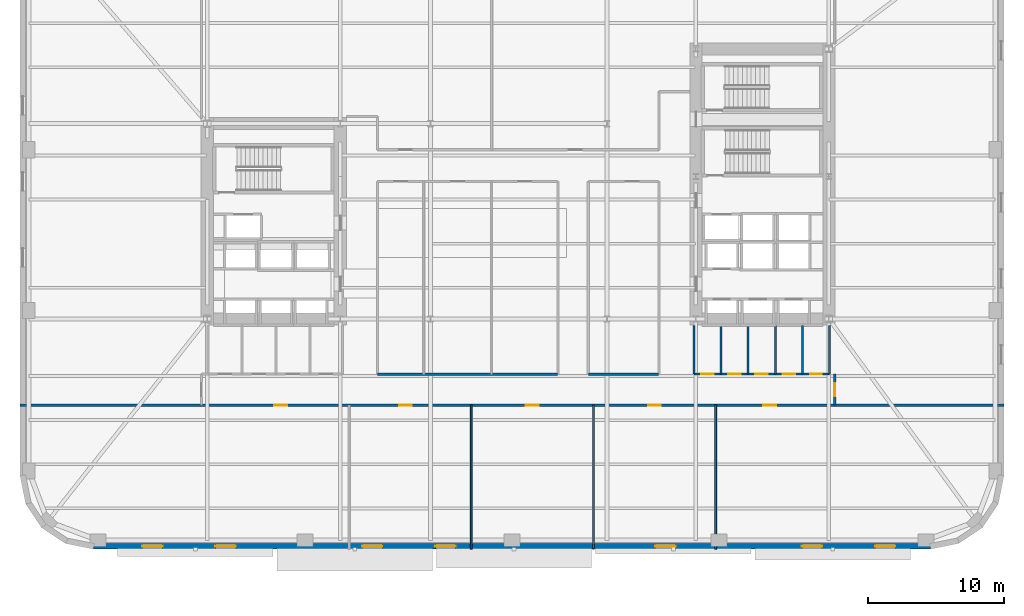
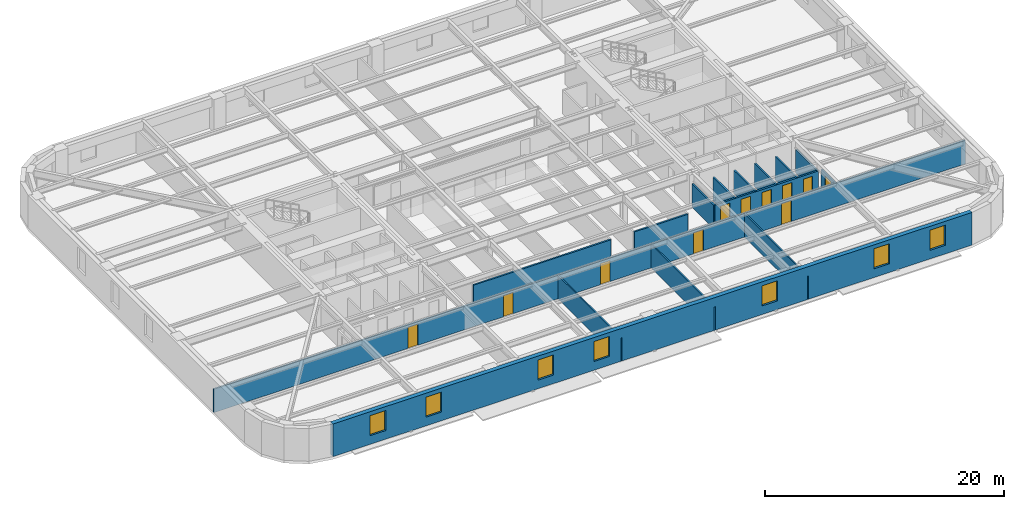
# One storey, part 5 of 14: 15 walls, 11 doors, 7 windows, 18 openings.
"""IFC4 building model written with IfcOpenShell, lengths in metres."""

from ifc_helpers import new_model, si_unit, direction, frame, frame_2d, origin, place, context, subcontext, project, spatial, rectangle, extrude, material, layer, layer_set, type_object, element, fill, save


model = new_model("IFC4")

# Units and contexts
model_context = context("Model", 3, precision=1e-05, world=origin(), true_north=direction((0.0, 1.0)))
body_context = subcontext(model_context, "Body", "Model", "MODEL_VIEW")
ifc_project = project(units=[si_unit("LENGTHUNIT", "METRE"), si_unit("AREAUNIT", "SQUARE_METRE"), si_unit("VOLUMEUNIT", "CUBIC_METRE"), si_unit("PLANEANGLEUNIT", "RADIAN"), si_unit("MASSUNIT", "GRAM", prefix="KILO")], contexts=[model_context])

# Site, building, storey
site_placement = place(None, origin())
site = spatial("IfcSite", under=ifc_project, at=site_placement, CompositionType="ELEMENT")
building_placement = place(site_placement, origin())
building = spatial("IfcBuilding", under=site, at=building_placement, Name="Kolvaren Arena Tower", CompositionType="ELEMENT")
storey_placement = place(building_placement, frame((0.0, 0.0, 90.75)))
storey = spatial("IfcBuildingStorey", under=building, at=storey_placement, Name="L20", CompositionType="ELEMENT", Elevation=90.75)

# Wall, openings, doors
ifc_material_1 = material(Name="Gypsum board acoustic assembly", Category="gypsum")
ifc_layer_1 = layer(ifc_material_1, 0.159912109375)
ifc_layer_set_1 = layer_set([ifc_layer_1], Name="Gypsum board acoustic assembly")
wall_type_1 = type_object("IfcWallType", Name="CORR-160", PredefinedType="PARTITIONING", material=ifc_layer_set_1)
wall_1_placement = place(storey_placement, frame((0.75, 13.10009765625, 0.0), z_axis=(0.0, 0.0, 1.0), x_axis=(1.0, 0.0, 0.0)))
wall_1 = element("IfcWall", 1, at=wall_1_placement, inside=storey, type_object=wall_type_1, Name="Interior Partition Wall (L20)", PredefinedType="PARTITIONING", context=body_context, shape_type="SweptSolid", body=[
    extrude(rectangle(XDim=72.5, YDim=0.159912109375, at=frame_2d((36.25, 0.0))), origin(), (0.0, 0.0, 1.0), 2.389892578125),
])
opening_1_placement = place(wall_1_placement, frame((18.72509765625, 0.0, 0.0)))
opening_1 = element("IfcOpeningElement", 2, at=opening_1_placement, cuts=wall_1, Name="Opening D05", PredefinedType="OPENING", context=body_context, shape_type="SweptSolid", body=[
    extrude(rectangle(XDim=0.949951171875, YDim=2.14990234375, at=frame_2d((0.47509765625, 1.074951171875))), frame((0.0, 0.08984375, 0.0), z_axis=(0.0, -1.0, 0.0), x_axis=(1.0, 0.0, 0.0)), (0.0, 0.0, 1.0), 0.179931640625),
])
opening_2_placement = place(wall_1_placement, frame((27.925048828125, 0.0, 0.0)))
opening_2 = element("IfcOpeningElement", 3, at=opening_2_placement, cuts=wall_1, Name="Opening D05", PredefinedType="OPENING", context=body_context, shape_type="SweptSolid", body=[
    extrude(rectangle(XDim=0.949951171875, YDim=2.14990234375, at=frame_2d((0.47509765625, 1.074951171875))), frame((0.0, 0.08984375, 0.0), z_axis=(0.0, -1.0, 0.0), x_axis=(1.0, 0.0, 0.0)), (0.0, 0.0, 1.0), 0.179931640625),
])
opening_3_placement = place(wall_1_placement, frame((37.27490234375, 0.0, 0.0)))
opening_3 = element("IfcOpeningElement", 4, at=opening_3_placement, cuts=wall_1, Name="Opening D05", PredefinedType="OPENING", context=body_context, shape_type="SweptSolid", body=[
    extrude(rectangle(XDim=0.949951171875, YDim=2.14990234375, at=frame_2d((0.47509765625, 1.074951171875))), frame((0.0, 0.08984375, 0.0), z_axis=(0.0, -1.0, 0.0), x_axis=(1.0, 0.0, 0.0)), (0.0, 0.0, 1.0), 0.179931640625),
])
opening_4_placement = place(wall_1_placement, frame((46.27490234375, 0.0, 0.0)))
opening_4 = element("IfcOpeningElement", 5, at=opening_4_placement, cuts=wall_1, Name="Opening D05", PredefinedType="OPENING", context=body_context, shape_type="SweptSolid", body=[
    extrude(rectangle(XDim=0.949951171875, YDim=2.14990234375, at=frame_2d((0.47509765625, 1.074951171875))), frame((0.0, 0.08984375, 0.0), z_axis=(0.0, -1.0, 0.0), x_axis=(1.0, 0.0, 0.0)), (0.0, 0.0, 1.0), 0.179931640625),
])
opening_5_placement = place(wall_1_placement, frame((54.77490234375, 0.0, 0.0)))
opening_5 = element("IfcOpeningElement", 6, at=opening_5_placement, cuts=wall_1, Name="Opening D05", PredefinedType="OPENING", context=body_context, shape_type="SweptSolid", body=[
    extrude(rectangle(XDim=0.949951171875, YDim=2.14990234375, at=frame_2d((0.47509765625, 1.074951171875))), frame((0.0, 0.08984375, 0.0), z_axis=(0.0, -1.0, 0.0), x_axis=(1.0, 0.0, 0.0)), (0.0, 0.0, 1.0), 0.179931640625),
])
ifc_material_2 = material(Name="Solid-core oak acoustic office door", Category="wood")
door_type_1 = type_object("IfcDoorType", Name="DOOR-OF-095", OperationType="NOTDEFINED", PredefinedType="DOOR", material=ifc_material_2)
door_1_placement = place(opening_1_placement, origin())
door_1 = element("IfcDoor", 7, at=door_1_placement, inside=storey, type_object=door_type_1, Name="Open Plan Office Door (L20)", OperationType="SINGLE_SWING_RIGHT", OverallHeight=2.14990234375, OverallWidth=0.949951171875, PredefinedType="DOOR", context=body_context, shape_type="SweptSolid", body=[
    extrude(rectangle(XDim=0.949951171875, YDim=2.14990234375, at=frame_2d((0.47509765625, 1.074951171875))), frame((0.0, 0.02490234375, 0.0), z_axis=(0.0, -1.0, 0.0), x_axis=(1.0, 0.0, 0.0)), (0.0, 0.0, 1.0), 0.050048828125),
])
fill(opening_1, door_1)
door_2_placement = place(opening_2_placement, origin())
door_2 = element("IfcDoor", 8, at=door_2_placement, inside=storey, type_object=door_type_1, Name="Wellness Room Door (L20)", OperationType="SINGLE_SWING_LEFT", OverallHeight=2.14990234375, OverallWidth=0.949951171875, PredefinedType="DOOR", context=body_context, shape_type="SweptSolid", body=[
    extrude(rectangle(XDim=0.949951171875, YDim=2.14990234375, at=frame_2d((0.47509765625, 1.074951171875))), frame((0.0, 0.02490234375, 0.0), z_axis=(0.0, -1.0, 0.0), x_axis=(1.0, 0.0, 0.0)), (0.0, 0.0, 1.0), 0.050048828125),
])
fill(opening_2, door_2)
door_3_placement = place(opening_3_placement, origin())
door_3 = element("IfcDoor", 9, at=door_3_placement, inside=storey, type_object=door_type_1, Name="Meeting Room Door (L20)", OperationType="SINGLE_SWING_RIGHT", OverallHeight=2.14990234375, OverallWidth=0.949951171875, PredefinedType="DOOR", context=body_context, shape_type="SweptSolid", body=[
    extrude(rectangle(XDim=0.949951171875, YDim=2.14990234375, at=frame_2d((0.47509765625, 1.074951171875))), frame((0.0, 0.02490234375, 0.0), z_axis=(0.0, -1.0, 0.0), x_axis=(1.0, 0.0, 0.0)), (0.0, 0.0, 1.0), 0.050048828125),
])
fill(opening_3, door_3)
door_4_placement = place(opening_4_placement, origin())
door_4 = element("IfcDoor", 10, at=door_4_placement, inside=storey, type_object=door_type_1, Name="Boardroom Door (L20)", OperationType="SINGLE_SWING_LEFT", OverallHeight=2.14990234375, OverallWidth=0.949951171875, PredefinedType="DOOR", context=body_context, shape_type="SweptSolid", body=[
    extrude(rectangle(XDim=0.949951171875, YDim=2.14990234375, at=frame_2d((0.47509765625, 1.074951171875))), frame((0.0, 0.02490234375, 0.0), z_axis=(0.0, -1.0, 0.0), x_axis=(1.0, 0.0, 0.0)), (0.0, 0.0, 1.0), 0.050048828125),
])
fill(opening_4, door_4)
door_5_placement = place(opening_5_placement, origin())
door_5 = element("IfcDoor", 11, at=door_5_placement, inside=storey, type_object=door_type_1, Name="Breakout Pantry and Kitchen Door (L20)", OperationType="SINGLE_SWING_RIGHT", OverallHeight=2.14990234375, OverallWidth=0.949951171875, PredefinedType="DOOR", context=body_context, shape_type="SweptSolid", body=[
    extrude(rectangle(XDim=0.949951171875, YDim=2.14990234375, at=frame_2d((0.47509765625, 1.074951171875))), frame((0.0, 0.02490234375, 0.0), z_axis=(0.0, -1.0, 0.0), x_axis=(1.0, 0.0, 0.0)), (0.0, 0.0, 1.0), 0.050048828125),
])
fill(opening_5, door_5)

# Walls
wall_2_placement = place(storey_placement, frame((27.10009765625, 15.3798828125, 0.0), z_axis=(0.0, 0.0, 1.0), x_axis=(1.0, 0.0, 0.0)))
element("IfcWall", 12, at=wall_2_placement, inside=storey, type_object=wall_type_1, Name="Interior Partition Wall (L20)", PredefinedType="PARTITIONING", context=body_context, shape_type="SweptSolid", body=[
    extrude(rectangle(XDim=13.260009765625, YDim=0.159912109375, at=frame_2d((6.6298828125, 0.0))), origin(), (0.0, 0.0, 1.0), 2.389892578125),
])
wall_3_placement = place(storey_placement, frame((42.639892578125, 15.3798828125, 0.0), z_axis=(0.0, 0.0, 1.0), x_axis=(1.0, 0.0, 0.0)))
element("IfcWall", 13, at=wall_3_placement, inside=storey, type_object=wall_type_1, Name="Interior Partition Wall (L20)", PredefinedType="PARTITIONING", context=body_context, shape_type="SweptSolid", body=[
    extrude(rectangle(XDim=5.16015625, YDim=0.159912109375, at=frame_2d((2.580078125, 0.0))), origin(), (0.0, 0.0, 1.0), 2.389892578125),
])

# Wall, opening, door
wall_4_placement = place(storey_placement, frame((60.780029296875, 13.10009765625, 0.0), z_axis=(0.0, 0.0, 1.0), x_axis=(0.0, 1.0, 0.0)))
wall_4 = element("IfcWall", 14, at=wall_4_placement, inside=storey, type_object=wall_type_1, Name="Interior Partition Wall (L20)", PredefinedType="PARTITIONING", context=body_context, shape_type="SweptSolid", body=[
    extrude(rectangle(XDim=2.2998046875, YDim=0.159912109375, at=frame_2d((1.14990234375, 0.0))), origin(), (0.0, 0.0, 1.0), 2.389892578125),
])
opening_6_placement = place(wall_4_placement, frame((0.64990234375, 0.0, 0.0)))
opening_6 = element("IfcOpeningElement", 15, at=opening_6_placement, cuts=wall_4, Name="Opening D05", PredefinedType="OPENING", context=body_context, shape_type="SweptSolid", body=[
    extrude(rectangle(XDim=0.949951171875, YDim=2.14990234375, at=frame_2d((0.47509765625, 1.074951171875))), frame((0.0, 0.08984375, 0.0), z_axis=(0.0, -1.0, 0.0), x_axis=(1.0, 0.0, 0.0)), (0.0, 0.0, 1.0), 0.179931640625),
])
door_6_placement = place(opening_6_placement, origin())
door_6 = element("IfcDoor", 16, at=door_6_placement, inside=storey, type_object=door_type_1, Name="East Wing Studio Door (L20)", OperationType="SINGLE_SWING_RIGHT", OverallHeight=2.14990234375, OverallWidth=0.949951171875, PredefinedType="DOOR", context=body_context, shape_type="SweptSolid", body=[
    extrude(rectangle(XDim=0.949951171875, YDim=2.14990234375, at=frame_2d((0.47509765625, 1.074951171875))), frame((0.0, 0.02490234375, 0.0), z_axis=(0.0, -1.0, 0.0), x_axis=(1.0, 0.0, 0.0)), (0.0, 0.0, 1.0), 0.050048828125),
])
fill(opening_6, door_6)

# Wall, openings, windows
ifc_material_3 = material(Name="Precast concrete C50/60", Category="concrete")
ifc_layer_2 = layer(ifc_material_3, 0.419921875)
ifc_layer_set_2 = layer_set([ifc_layer_2], Name="Precast concrete C50/60")
wall_type_2 = type_object("IfcWallType", Name="EXT-PIER1", PredefinedType="SOLIDWALL", material=ifc_layer_set_2)
wall_5_placement = place(storey_placement, frame((67.85009765625, 2.7099609375, 0.0), z_axis=(0.0, 0.0, 1.0), x_axis=(-1.0, 0.0, 0.0)))
wall_5 = element("IfcWall", 17, at=wall_5_placement, inside=storey, type_object=wall_type_2, Name="Exterior Precast Masonry-Frame Wall (L20)", PredefinedType="SOLIDWALL", context=body_context, shape_type="SweptSolid", body=[
    extrude(rectangle(XDim=61.7001953125, YDim=0.419921875, at=frame_2d((30.85009765625, 0.0))), origin(), (0.0, 0.0, 1.0), 3.330078125),
])
opening_7_placement = place(wall_5_placement, frame((2.60009765625, 0.0, 0.8798828125)))
opening_7 = element("IfcOpeningElement", 18, at=opening_7_placement, cuts=wall_5, Name="Opening W03", PredefinedType="OPENING", context=body_context, shape_type="SweptSolid", body=[
    extrude(rectangle(XDim=1.5, YDim=2.050048828125, at=frame_2d((0.75, 1.02490234375))), frame((0.0, 0.219970703125, 0.0), z_axis=(0.0, -1.0, 0.0), x_axis=(1.0, 0.0, 0.0)), (0.0, 0.0, 1.0), 0.43994140625),
])
opening_8_placement = place(wall_5_placement, frame((8.0, 0.0, 0.8798828125)))
opening_8 = element("IfcOpeningElement", 19, at=opening_8_placement, cuts=wall_5, Name="Opening W03", PredefinedType="OPENING", context=body_context, shape_type="SweptSolid", body=[
    extrude(rectangle(XDim=1.5, YDim=2.050048828125, at=frame_2d((0.75, 1.02490234375))), frame((0.0, 0.219970703125, 0.0), z_axis=(0.0, -1.0, 0.0), x_axis=(1.0, 0.0, 0.0)), (0.0, 0.0, 1.0), 0.43994140625),
])
opening_9_placement = place(wall_5_placement, frame((18.800048828125, 0.0, 0.8798828125)))
opening_9 = element("IfcOpeningElement", 20, at=opening_9_placement, cuts=wall_5, Name="Opening W03", PredefinedType="OPENING", context=body_context, shape_type="SweptSolid", body=[
    extrude(rectangle(XDim=1.5, YDim=2.050048828125, at=frame_2d((0.75, 1.02490234375))), frame((0.0, 0.219970703125, 0.0), z_axis=(0.0, -1.0, 0.0), x_axis=(1.0, 0.0, 0.0)), (0.0, 0.0, 1.0), 0.43994140625),
])
opening_10_placement = place(wall_5_placement, frame((35.0, 0.0, 0.8798828125)))
opening_10 = element("IfcOpeningElement", 21, at=opening_10_placement, cuts=wall_5, Name="Opening W03", PredefinedType="OPENING", context=body_context, shape_type="SweptSolid", body=[
    extrude(rectangle(XDim=1.5, YDim=2.050048828125, at=frame_2d((0.75, 1.02490234375))), frame((0.0, 0.219970703125, 0.0), z_axis=(0.0, -1.0, 0.0), x_axis=(1.0, 0.0, 0.0)), (0.0, 0.0, 1.0), 0.43994140625),
])
opening_11_placement = place(wall_5_placement, frame((40.39990234375, 0.0, 0.8798828125)))
opening_11 = element("IfcOpeningElement", 22, at=opening_11_placement, cuts=wall_5, Name="Opening W03", PredefinedType="OPENING", context=body_context, shape_type="SweptSolid", body=[
    extrude(rectangle(XDim=1.5, YDim=2.050048828125, at=frame_2d((0.75, 1.02490234375))), frame((0.0, 0.219970703125, 0.0), z_axis=(0.0, -1.0, 0.0), x_axis=(1.0, 0.0, 0.0)), (0.0, 0.0, 1.0), 0.43994140625),
])
opening_12_placement = place(wall_5_placement, frame((51.199951171875, 0.0, 0.8798828125)))
opening_12 = element("IfcOpeningElement", 23, at=opening_12_placement, cuts=wall_5, Name="Opening W03", PredefinedType="OPENING", context=body_context, shape_type="SweptSolid", body=[
    extrude(rectangle(XDim=1.5, YDim=2.050048828125, at=frame_2d((0.75, 1.02490234375))), frame((0.0, 0.219970703125, 0.0), z_axis=(0.0, -1.0, 0.0), x_axis=(1.0, 0.0, 0.0)), (0.0, 0.0, 1.0), 0.43994140625),
])
opening_13_placement = place(wall_5_placement, frame((56.60009765625, 0.0, 0.8798828125)))
opening_13 = element("IfcOpeningElement", 24, at=opening_13_placement, cuts=wall_5, Name="Opening W03", PredefinedType="OPENING", context=body_context, shape_type="SweptSolid", body=[
    extrude(rectangle(XDim=1.5, YDim=2.050048828125, at=frame_2d((0.75, 1.02490234375))), frame((0.0, 0.219970703125, 0.0), z_axis=(0.0, -1.0, 0.0), x_axis=(1.0, 0.0, 0.0)), (0.0, 0.0, 1.0), 0.43994140625),
])
ifc_material_4 = material(Name="Triple-glazed low-E aluminium window", Category="aluminium")
window_type = type_object("IfcWindowType", Name="WIN-OFF-C", PartitioningType="SINGLE_PANEL", PredefinedType="WINDOW", material=ifc_material_4)
window_1_placement = place(opening_7_placement, origin())
window_1 = element("IfcWindow", 25, at=window_1_placement, inside=storey, type_object=window_type, Name="Punched Precast-Pier Window (L20)", OverallHeight=2.050048828125, OverallWidth=1.5, PartitioningType="SINGLE_PANEL", PredefinedType="WINDOW", context=body_context, shape_type="SweptSolid", body=[
    extrude(rectangle(XDim=1.5, YDim=2.050048828125, at=frame_2d((0.75, 1.02490234375))), frame((0.0, 0.030029296875, 0.0), z_axis=(0.0, -1.0, 0.0), x_axis=(1.0, 0.0, 0.0)), (0.0, 0.0, 1.0), 0.06005859375),
])
fill(opening_7, window_1)
window_2_placement = place(opening_8_placement, origin())
window_2 = element("IfcWindow", 26, at=window_2_placement, inside=storey, type_object=window_type, Name="Punched Precast-Pier Window (L20)", OverallHeight=2.050048828125, OverallWidth=1.5, PartitioningType="SINGLE_PANEL", PredefinedType="WINDOW", context=body_context, shape_type="SweptSolid", body=[
    extrude(rectangle(XDim=1.5, YDim=2.050048828125, at=frame_2d((0.75, 1.02490234375))), frame((0.0, 0.030029296875, 0.0), z_axis=(0.0, -1.0, 0.0), x_axis=(1.0, 0.0, 0.0)), (0.0, 0.0, 1.0), 0.06005859375),
])
fill(opening_8, window_2)
window_3_placement = place(opening_9_placement, origin())
window_3 = element("IfcWindow", 27, at=window_3_placement, inside=storey, type_object=window_type, Name="Punched Precast-Pier Window (L20)", OverallHeight=2.050048828125, OverallWidth=1.5, PartitioningType="SINGLE_PANEL", PredefinedType="WINDOW", context=body_context, shape_type="SweptSolid", body=[
    extrude(rectangle(XDim=1.5, YDim=2.050048828125, at=frame_2d((0.75, 1.02490234375))), frame((0.0, 0.030029296875, 0.0), z_axis=(0.0, -1.0, 0.0), x_axis=(1.0, 0.0, 0.0)), (0.0, 0.0, 1.0), 0.06005859375),
])
fill(opening_9, window_3)
window_4_placement = place(opening_10_placement, origin())
window_4 = element("IfcWindow", 28, at=window_4_placement, inside=storey, type_object=window_type, Name="Punched Precast-Pier Window (L20)", OverallHeight=2.050048828125, OverallWidth=1.5, PartitioningType="SINGLE_PANEL", PredefinedType="WINDOW", context=body_context, shape_type="SweptSolid", body=[
    extrude(rectangle(XDim=1.5, YDim=2.050048828125, at=frame_2d((0.75, 1.02490234375))), frame((0.0, 0.030029296875, 0.0), z_axis=(0.0, -1.0, 0.0), x_axis=(1.0, 0.0, 0.0)), (0.0, 0.0, 1.0), 0.06005859375),
])
fill(opening_10, window_4)
window_5_placement = place(opening_11_placement, origin())
window_5 = element("IfcWindow", 29, at=window_5_placement, inside=storey, type_object=window_type, Name="Punched Precast-Pier Window (L20)", OverallHeight=2.050048828125, OverallWidth=1.5, PartitioningType="SINGLE_PANEL", PredefinedType="WINDOW", context=body_context, shape_type="SweptSolid", body=[
    extrude(rectangle(XDim=1.5, YDim=2.050048828125, at=frame_2d((0.75, 1.02490234375))), frame((0.0, 0.030029296875, 0.0), z_axis=(0.0, -1.0, 0.0), x_axis=(1.0, 0.0, 0.0)), (0.0, 0.0, 1.0), 0.06005859375),
])
fill(opening_11, window_5)
window_6_placement = place(opening_12_placement, origin())
window_6 = element("IfcWindow", 30, at=window_6_placement, inside=storey, type_object=window_type, Name="Punched Precast-Pier Window (L20)", OverallHeight=2.050048828125, OverallWidth=1.5, PartitioningType="SINGLE_PANEL", PredefinedType="WINDOW", context=body_context, shape_type="SweptSolid", body=[
    extrude(rectangle(XDim=1.5, YDim=2.050048828125, at=frame_2d((0.75, 1.02490234375))), frame((0.0, 0.030029296875, 0.0), z_axis=(0.0, -1.0, 0.0), x_axis=(1.0, 0.0, 0.0)), (0.0, 0.0, 1.0), 0.06005859375),
])
fill(opening_12, window_6)
window_7_placement = place(opening_13_placement, origin())
window_7 = element("IfcWindow", 31, at=window_7_placement, inside=storey, type_object=window_type, Name="Punched Precast-Pier Window (L20)", OverallHeight=2.050048828125, OverallWidth=1.5, PartitioningType="SINGLE_PANEL", PredefinedType="WINDOW", context=body_context, shape_type="SweptSolid", body=[
    extrude(rectangle(XDim=1.5, YDim=2.050048828125, at=frame_2d((0.75, 1.02490234375))), frame((0.0, 0.030029296875, 0.0), z_axis=(0.0, -1.0, 0.0), x_axis=(1.0, 0.0, 0.0)), (0.0, 0.0, 1.0), 0.06005859375),
])
fill(opening_13, window_7)

# Walls
ifc_material_5 = material(Name="Gypsum board partition assembly", Category="gypsum")
ifc_layer_3 = layer(ifc_material_5, 0.135009765625)
ifc_layer_set_3 = layer_set([ifc_layer_3], Name="Gypsum board partition assembly")
wall_type_3 = type_object("IfcWallType", Name="PART-135", PredefinedType="PARTITIONING", material=ifc_layer_set_3)
for number, where, z_axis, x_axis, name in (
    (32, (34.0, 2.5, 0.0), (0.0, 0.0, 1.0), (0.0, 1.0, 0.0), "Interior Partition Wall (L20)"),
    (33, (43.0, 2.5, 0.0), (0.0, 0.0, 1.0), (0.0, 1.0, 0.0), "Interior Partition Wall (L20)"),
    (34, (52.0, 2.5, 0.0), (0.0, 0.0, 1.0), (0.0, 1.0, 0.0), "Interior Partition Wall (L20)"),
):
    element("IfcWall", number, at=place(storey_placement, frame(where, z_axis=z_axis, x_axis=x_axis)), inside=storey, type_object=wall_type_3, Name=name, PredefinedType="PARTITIONING", context=body_context, shape_type="SweptSolid", body=[
        extrude(rectangle(XDim=10.60009765625, YDim=0.135009765625, at=frame_2d((5.300048828125, 0.0))), origin(), (0.0, 0.0, 1.0), 2.389892578125),
    ])

# Wall, openings, doors
ifc_material_6 = material(Name="Concrete 45 MPa", Category="concrete")
ifc_layer_4 = layer(ifc_material_6, 0.25)
ifc_layer_set_4 = layer_set([ifc_layer_4], Name="Concrete 45 MPa")
wall_type_4 = type_object("IfcWallType", Name="SHAFT-250", PredefinedType="SOLIDWALL", material=ifc_layer_set_4)
wall_6_placement = place(storey_placement, frame((50.39990234375, 15.39990234375, 0.0), z_axis=(0.0, 0.0, 1.0), x_axis=(1.0, 0.0, 0.0)))
wall_6 = element("IfcWall", 35, at=wall_6_placement, inside=storey, type_object=wall_type_4, Name="Interior Partition Wall (L20)", PredefinedType="SOLIDWALL", context=body_context, shape_type="SweptSolid", body=[
    extrude(rectangle(XDim=10.0, YDim=0.179931640625, at=frame_2d((5.0, 0.0))), origin(), (0.0, 0.0, 1.0), 2.389892578125),
])
opening_14_placement = place(wall_6_placement, frame((0.5400390625, 0.0, 0.0)))
opening_14 = element("IfcOpeningElement", 36, at=opening_14_placement, cuts=wall_6, Name="Opening D07", PredefinedType="OPENING", context=body_context, shape_type="SweptSolid", body=[
    extrude(rectangle(XDim=0.919921875, YDim=2.10009765625, at=frame_2d((0.4599609375, 1.050048828125))), frame((0.0, 0.099853515625, 0.0), z_axis=(0.0, -1.0, 0.0), x_axis=(1.0, 0.0, 0.0)), (0.0, 0.0, 1.0), 0.199951171875),
])
opening_15_placement = place(wall_6_placement, frame((2.5400390625, 0.0, 0.0)))
opening_15 = element("IfcOpeningElement", 37, at=opening_15_placement, cuts=wall_6, Name="Opening D07", PredefinedType="OPENING", context=body_context, shape_type="SweptSolid", body=[
    extrude(rectangle(XDim=0.919921875, YDim=2.10009765625, at=frame_2d((0.4599609375, 1.050048828125))), frame((0.0, 0.099853515625, 0.0), z_axis=(0.0, -1.0, 0.0), x_axis=(1.0, 0.0, 0.0)), (0.0, 0.0, 1.0), 0.199951171875),
])
opening_16_placement = place(wall_6_placement, frame((4.5400390625, 0.0, 0.0)))
opening_16 = element("IfcOpeningElement", 38, at=opening_16_placement, cuts=wall_6, Name="Opening D07", PredefinedType="OPENING", context=body_context, shape_type="SweptSolid", body=[
    extrude(rectangle(XDim=0.919921875, YDim=2.10009765625, at=frame_2d((0.4599609375, 1.050048828125))), frame((0.0, 0.099853515625, 0.0), z_axis=(0.0, -1.0, 0.0), x_axis=(1.0, 0.0, 0.0)), (0.0, 0.0, 1.0), 0.199951171875),
])
opening_17_placement = place(wall_6_placement, frame((6.5400390625, 0.0, 0.0)))
opening_17 = element("IfcOpeningElement", 39, at=opening_17_placement, cuts=wall_6, Name="Opening D07", PredefinedType="OPENING", context=body_context, shape_type="SweptSolid", body=[
    extrude(rectangle(XDim=0.919921875, YDim=2.10009765625, at=frame_2d((0.4599609375, 1.050048828125))), frame((0.0, 0.099853515625, 0.0), z_axis=(0.0, -1.0, 0.0), x_axis=(1.0, 0.0, 0.0)), (0.0, 0.0, 1.0), 0.199951171875),
])
opening_18_placement = place(wall_6_placement, frame((8.570068359375, 0.0, 0.0)))
opening_18 = element("IfcOpeningElement", 40, at=opening_18_placement, cuts=wall_6, Name="Opening D09", PredefinedType="OPENING", context=body_context, shape_type="SweptSolid", body=[
    extrude(rectangle(XDim=0.860107421875, YDim=2.050048828125, at=frame_2d((0.43017578125, 1.02490234375))), frame((0.0, 0.099853515625, 0.0), z_axis=(0.0, -1.0, 0.0), x_axis=(1.0, 0.0, 0.0)), (0.0, 0.0, 1.0), 0.199951171875),
])
ifc_material_7 = material(Name="Fire-rated steel riser access door", Category="steel")
door_type_2 = type_object("IfcDoorType", Name="DOOR-RS-086", OperationType="NOTDEFINED", PredefinedType="DOOR", material=ifc_material_7)
door_7_placement = place(opening_18_placement, origin())
door_7 = element("IfcDoor", 41, at=door_7_placement, inside=storey, type_object=door_type_2, Name="Telecom Riser Closet Door (L20)", OperationType="SINGLE_SWING_RIGHT", OverallHeight=2.050048828125, OverallWidth=0.860107421875, PredefinedType="DOOR", context=body_context, shape_type="SweptSolid", body=[
    extrude(rectangle(XDim=0.860107421875, YDim=2.050048828125, at=frame_2d((0.43017578125, 1.02490234375))), frame((0.0, 0.02490234375, 0.0), z_axis=(0.0, -1.0, 0.0), x_axis=(1.0, 0.0, 0.0)), (0.0, 0.0, 1.0), 0.050048828125),
])
fill(opening_18, door_7)
ifc_material_8 = material(Name="Laminate universal washroom door", Category="wood")
door_type_3 = type_object("IfcDoorType", Name="DOOR-WC-092", OperationType="NOTDEFINED", PredefinedType="DOOR", material=ifc_material_8)
door_8_placement = place(opening_14_placement, origin())
door_8 = element("IfcDoor", 42, at=door_8_placement, inside=storey, type_object=door_type_3, Name="First Aid Store Door (L20)", OperationType="SINGLE_SWING_RIGHT", OverallHeight=2.10009765625, OverallWidth=0.919921875, PredefinedType="DOOR", context=body_context, shape_type="SweptSolid", body=[
    extrude(rectangle(XDim=0.919921875, YDim=2.10009765625, at=frame_2d((0.4599609375, 1.050048828125))), frame((0.0, 0.02490234375, 0.0), z_axis=(0.0, -1.0, 0.0), x_axis=(1.0, 0.0, 0.0)), (0.0, 0.0, 1.0), 0.050048828125),
])
fill(opening_14, door_8)
door_9_placement = place(opening_15_placement, origin())
door_9 = element("IfcDoor", 43, at=door_9_placement, inside=storey, type_object=door_type_3, Name="Cleaner and Janitor Store Door (L20)", OperationType="SINGLE_SWING_LEFT", OverallHeight=2.10009765625, OverallWidth=0.919921875, PredefinedType="DOOR", context=body_context, shape_type="SweptSolid", body=[
    extrude(rectangle(XDim=0.919921875, YDim=2.10009765625, at=frame_2d((0.4599609375, 1.050048828125))), frame((0.0, 0.02490234375, 0.0), z_axis=(0.0, -1.0, 0.0), x_axis=(1.0, 0.0, 0.0)), (0.0, 0.0, 1.0), 0.050048828125),
])
fill(opening_15, door_9)
door_10_placement = place(opening_16_placement, origin())
door_10 = element("IfcDoor", 44, at=door_10_placement, inside=storey, type_object=door_type_3, Name="Staff Pantry Door (L20)", OperationType="SINGLE_SWING_RIGHT", OverallHeight=2.10009765625, OverallWidth=0.919921875, PredefinedType="DOOR", context=body_context, shape_type="SweptSolid", body=[
    extrude(rectangle(XDim=0.919921875, YDim=2.10009765625, at=frame_2d((0.4599609375, 1.050048828125))), frame((0.0, 0.02490234375, 0.0), z_axis=(0.0, -1.0, 0.0), x_axis=(1.0, 0.0, 0.0)), (0.0, 0.0, 1.0), 0.050048828125),
])
fill(opening_16, door_10)
door_11_placement = place(opening_17_placement, origin())
door_11 = element("IfcDoor", 45, at=door_11_placement, inside=storey, type_object=door_type_3, Name="Gender-Neutral Washroom Door (L20)", OperationType="SINGLE_SWING_LEFT", OverallHeight=2.10009765625, OverallWidth=0.919921875, PredefinedType="DOOR", context=body_context, shape_type="SweptSolid", body=[
    extrude(rectangle(XDim=0.919921875, YDim=2.10009765625, at=frame_2d((0.4599609375, 1.050048828125))), frame((0.0, 0.02490234375, 0.0), z_axis=(0.0, -1.0, 0.0), x_axis=(1.0, 0.0, 0.0)), (0.0, 0.0, 1.0), 0.050048828125),
])
fill(opening_17, door_11)

# Walls
ifc_material_9 = material(Name="Moisture-resistant gypsum assembly", Category="gypsum")
ifc_layer_5 = layer(ifc_material_9, 0.14990234375)
ifc_layer_set_5 = layer_set([ifc_layer_5], Name="Moisture-resistant gypsum assembly")
wall_type_5 = type_object("IfcWallType", Name="WETW-150", PredefinedType="PARTITIONING", material=ifc_layer_set_5)
for number, where, z_axis, x_axis, name in (
    (46, (52.39990234375, 15.39990234375, 0.0), (0.0, 0.0, 1.0), (0.0, 1.0, 0.0), "Interior Partition Wall (L20)"),
    (47, (54.39990234375, 15.39990234375, 0.0), (0.0, 0.0, 1.0), (0.0, 1.0, 0.0), "Interior Partition Wall (L20)"),
    (48, (56.39990234375, 15.39990234375, 0.0), (0.0, 0.0, 1.0), (0.0, 1.0, 0.0), "Interior Partition Wall (L20)"),
    (49, (58.39990234375, 15.39990234375, 0.0), (0.0, 0.0, 1.0), (0.0, 1.0, 0.0), "Interior Partition Wall (L20)"),
    (50, (50.39990234375, 15.39990234375, 0.0), (0.0, 0.0, 1.0), (0.0, 1.0, 0.0), "Interior Partition Wall (L20)"),
    (51, (60.39990234375, 15.39990234375, 0.0), (0.0, 0.0, 1.0), (0.0, 1.0, 0.0), "Interior Partition Wall (L20)"),
):
    element("IfcWall", number, at=place(storey_placement, frame(where, z_axis=z_axis, x_axis=x_axis)), inside=storey, type_object=wall_type_5, Name=name, PredefinedType="PARTITIONING", context=body_context, shape_type="SweptSolid", body=[
        extrude(rectangle(XDim=3.580078125, YDim=0.14990234375, at=frame_2d((1.7900390625, 0.0))), origin(), (0.0, 0.0, 1.0), 2.389892578125),
    ])

save(model, "model.ifc")
